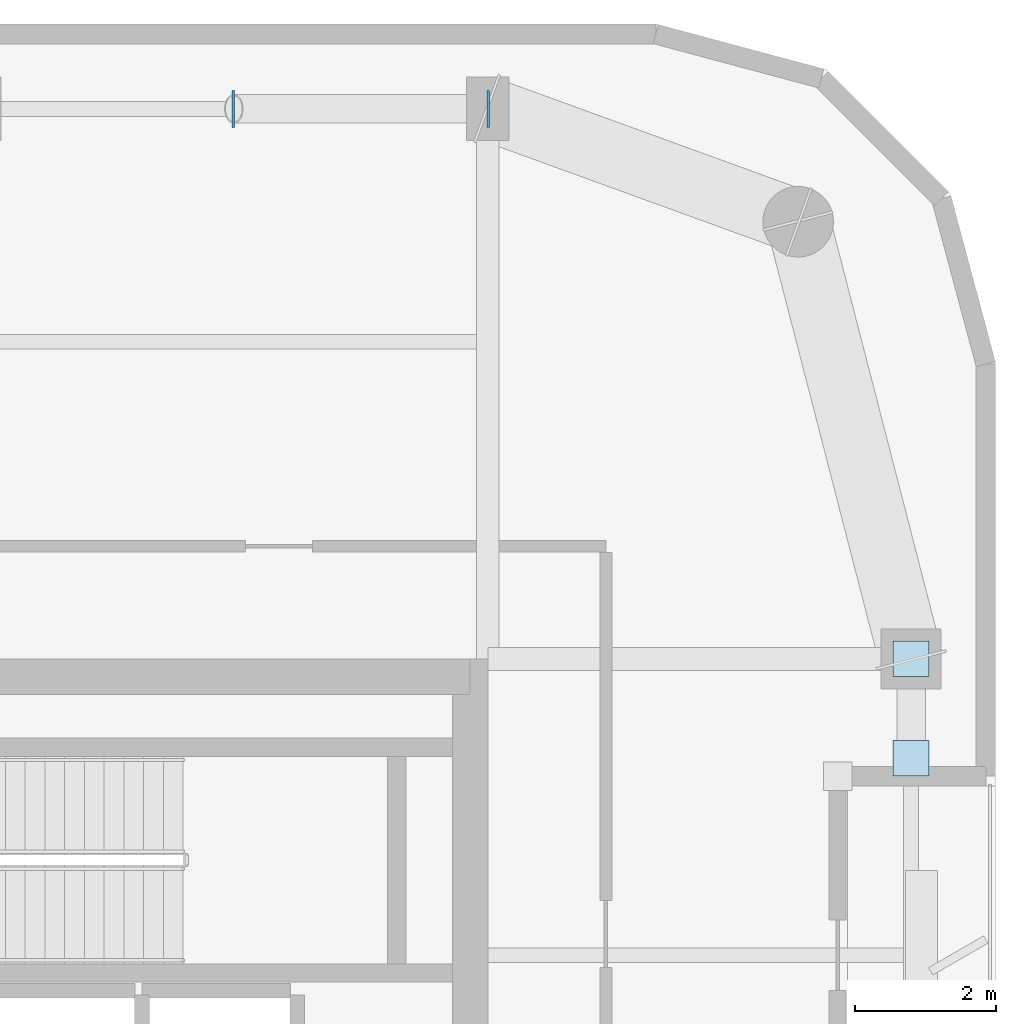
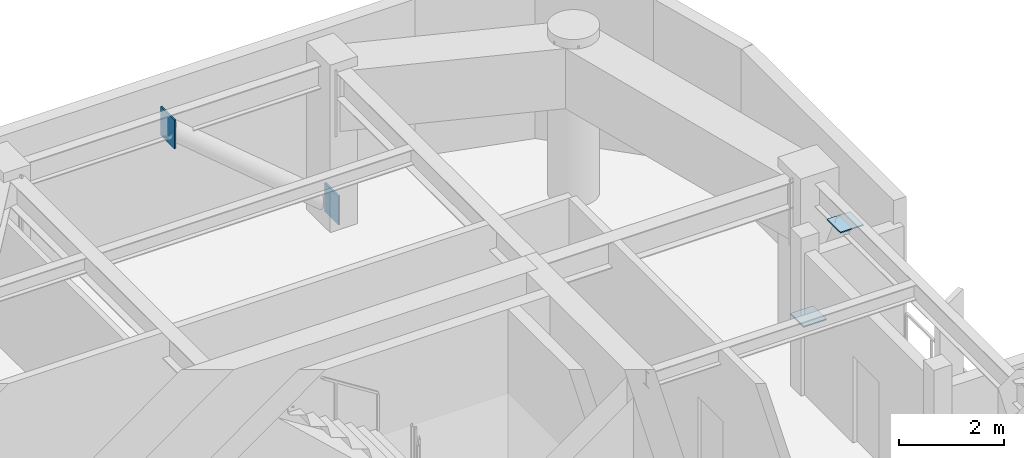
# One storey, part 9 of 15: 4 plates.
"""IFC4 building model written with IfcOpenShell, lengths in metres."""

from ifc_helpers import new_model, si_unit, direction, frame, origin, origin_2d, place, context, subcontext, project, spatial, rectangle, extrude, material, layer, layer_set, type_object, element, save


model = new_model("IFC4")

# Units and contexts
model_context = context("Model", 3, precision=1e-05, world=origin(), true_north=direction((0.0, 1.0)))
body_context = subcontext(model_context, "Body", "Model", "MODEL_VIEW")
ifc_project = project(units=[si_unit("LENGTHUNIT", "METRE"), si_unit("AREAUNIT", "SQUARE_METRE"), si_unit("VOLUMEUNIT", "CUBIC_METRE"), si_unit("PLANEANGLEUNIT", "RADIAN"), si_unit("MASSUNIT", "GRAM", prefix="KILO")], contexts=[model_context])

# Site, building, storey
site_placement = place(None, origin())
site = spatial("IfcSite", under=ifc_project, at=site_placement, CompositionType="ELEMENT")
building_placement = place(site_placement, origin())
building = spatial("IfcBuilding", under=site, at=building_placement, Name="Kiyonajd Concourse Tower", CompositionType="ELEMENT")
storey_placement = place(building_placement, frame((0.0, 0.0, 318.0)))
storey = spatial("IfcBuildingStorey", under=building, at=storey_placement, Name="L80", CompositionType="ELEMENT", Elevation=318.0)

# Plates
ifc_material = material(Name="Steel ASTM A572 Grade 50", Category="steel")
ifc_layer = layer(ifc_material, 0.028076171875)
ifc_layer_set = layer_set([ifc_layer], Name="Steel ASTM A572 Grade 50")
plate_type = type_object("IfcPlateType", Name="PL-CAP-450", PredefinedType="USERDEFINED", material=ifc_layer_set)
for number, where, z_axis, x_axis, name in (
    (1, (63.6083984375, 52.199951171875, -0.04248046875), (0.0, 0.0, 1.0), (1.0, 0.0, 0.0), "L80 Hollow Brace End Cap Plate PBN"),
    (2, (59.99169921875, 52.199951171875, 3.001708984375), (0.0, 0.0, 1.0), (-1.0, 0.0, 0.0), "L80 Hollow Brace Top Cap Plate PBN"),
):
    element("IfcPlate", number, at=place(storey_placement, frame(where, z_axis=z_axis, x_axis=x_axis)), inside=storey, type_object=plate_type, Name=name, ObjectType="CAP PLATE", PredefinedType="USERDEFINED", context=body_context, shape_type="SweptSolid", body=[
        extrude(rectangle(XDim=0.035888671875, YDim=0.52587890625, at=origin_2d()), origin(), (0.0, 0.0, 1.0), 0.6708984375),
    ])
for number, where, z_axis, x_axis, name in (
    (3, (69.60009765625, 44.404541015625, 0.27587890625), (0.0, 0.0, 1.0), (1.0, 0.0, 0.0), "L80 Hollow Brace End Cap Plate PBE"),
    (4, (69.60009765625, 42.995361328125, 3.326171875), (0.0, 0.0, 1.0), (1.0, 0.0, 0.0), "L80 Hollow Brace Top Cap Plate PBE"),
):
    element("IfcPlate", number, at=place(storey_placement, frame(where, z_axis=z_axis, x_axis=x_axis)), inside=storey, type_object=plate_type, Name=name, ObjectType="CAP PLATE", PredefinedType="USERDEFINED", context=body_context, shape_type="SweptSolid", body=[
        extrude(rectangle(XDim=0.506103515625, YDim=0.506103515625, at=origin_2d()), origin(), (0.0, 0.0, 1.0), 0.028076171875),
    ])

save(model, "model.ifc")
